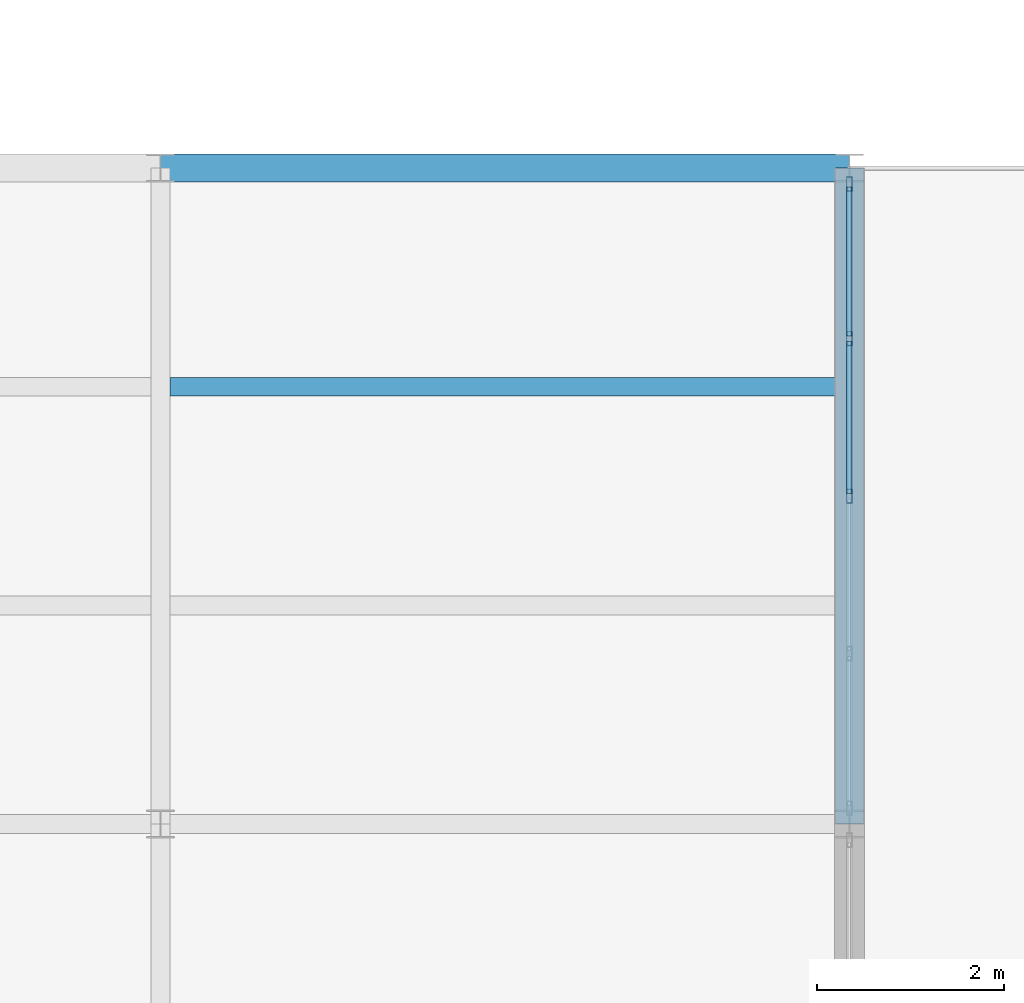
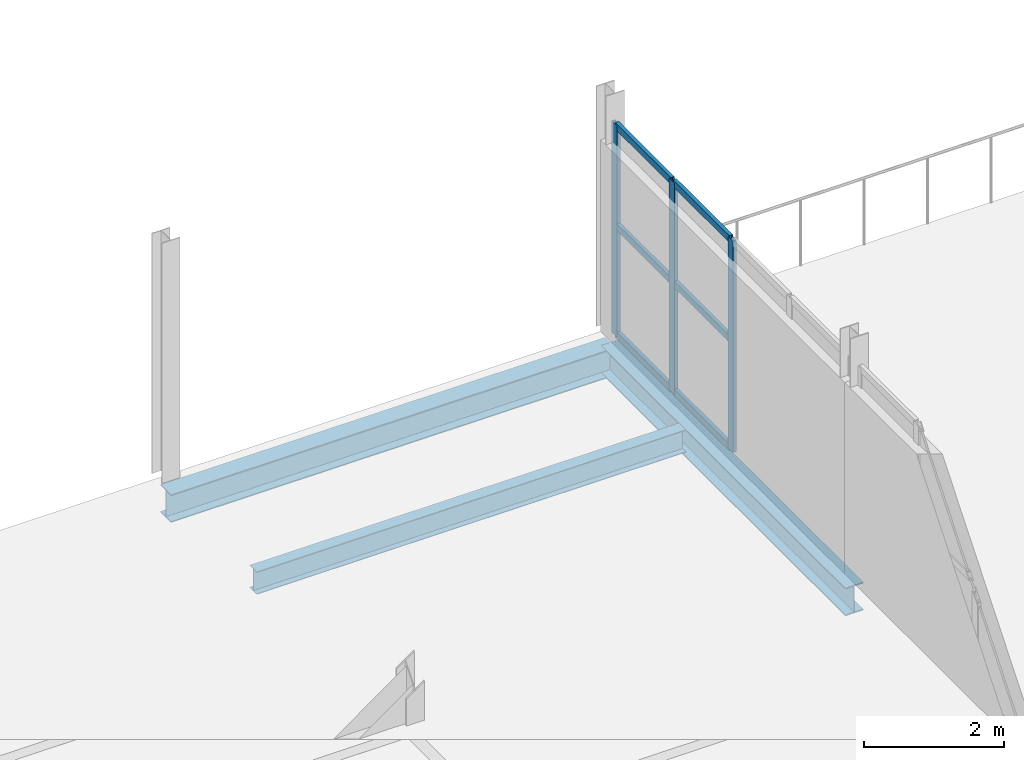
# One storey, part 24 of 39: 9 members, 3 beams, 1 element without a shape of its own.
"""IFC4 building model written with IfcOpenShell, lengths in metres."""

import ifcopenshell
import ifcopenshell.guid

model = None  # the IFC model being written
_history = None  # IfcOwnerHistory: only IFC2X3 demands one
_inside = {}  # id of a spatial element -> (the spatial element, [elements in it])
_under = {}  # id of a project, library or spatial element -> (it, [spatial elements below it])
_declared = {}  # id of a project -> (the project, [libraries it declares])
_typed = {}  # id of a type object -> (the type object, [elements of that type])
_made_of = {}  # id of a material, layer set ... -> (it, [elements and type objects made of it])


def new_model(schema):
    """Start an empty IFC model of exactly this schema.

    Asked for "IFC4X3", IfcOpenShell would pick the latest addendum, in which some entities
    have other attributes; the version numbers below select the first issue.
    IFC2X3 requires an IfcOwnerHistory on every rooted entity: one is made here for all.
    """
    global model, _history
    if schema == "IFC4X3":
        model = ifcopenshell.file(schema_version=(4, 3, 0, 0))
    else:
        model = ifcopenshell.file(schema=schema)
    _inside.clear()
    _under.clear()
    _declared.clear()
    _typed.clear()
    _made_of.clear()
    _history = None
    if model.schema == "IFC2X3":
        org = make("IfcOrganization", Name="unknown")
        user = make(
            "IfcPersonAndOrganization",
            ThePerson=make("IfcPerson", FamilyName="unknown"),
            TheOrganization=org,
        )
        app = make(
            "IfcApplication",
            ApplicationDeveloper=org,
            Version="unknown",
            ApplicationFullName="unknown",
            ApplicationIdentifier="unknown",
        )
        _history = make(
            "IfcOwnerHistory",
            OwningUser=user,
            OwningApplication=app,
            ChangeAction="ADDED",
            CreationDate=0,
        )
    return model


def make(cls, **values):
    """One entity of the class cls with the attributes given. An attribute that is None is left unset."""
    return model.create_entity(
        cls, **{name: value for name, value in values.items() if value is not None}
    )


def rooted(cls, **values):
    """An entity with a GlobalId (a new one), such as an element, a storey or a relation."""
    return make(cls, GlobalId=ifcopenshell.guid.new(), OwnerHistory=_history, **values)


def si_unit(unit_type, name, prefix=None):
    """IfcSIUnit, for example si_unit("LENGTHUNIT", "METRE", prefix="MILLI")."""
    return make("IfcSIUnit", UnitType=unit_type, Prefix=prefix, Name=name)


def assignment(units):
    """IfcUnitAssignment: the units of a project."""
    return None if units is None else make("IfcUnitAssignment", Units=units)


def point(xyz):
    """IfcCartesianPoint."""
    return None if xyz is None else make("IfcCartesianPoint", Coordinates=xyz)


def direction(xyz):
    """IfcDirection."""
    return None if xyz is None else make("IfcDirection", DirectionRatios=xyz)


def frame(location, z_axis=None, x_axis=None):
    """IfcAxis2Placement3D, a coordinate frame: its origin and axes. An axis left out is left unset."""
    return make(
        "IfcAxis2Placement3D",
        Location=point(location),
        Axis=direction(z_axis),
        RefDirection=direction(x_axis),
    )


def frame_2d(location, x_axis=None):
    """IfcAxis2Placement2D, a coordinate frame in the plane: its origin and x axis."""
    return make(
        "IfcAxis2Placement2D", Location=point(location), RefDirection=direction(x_axis)
    )


def origin():
    """The frame at (0, 0, 0) with its axes left unset."""
    return frame((0.0, 0.0, 0.0))


def origin_2d():
    """The frame at (0, 0) in the plane with its x axis left unset."""
    return frame_2d((0.0, 0.0))


def place(relative_to, where):
    """IfcLocalPlacement: puts the frame where relative to a parent placement (None: the world)."""
    return make(
        "IfcLocalPlacement", PlacementRelTo=relative_to, RelativePlacement=where
    )


def context(
    kind, dimensions, precision=None, world=None, true_north=None, identifier=None
):
    """IfcGeometricRepresentationContext, for example the 3D "Model" context."""
    return make(
        "IfcGeometricRepresentationContext",
        ContextIdentifier=identifier,
        ContextType=kind,
        CoordinateSpaceDimension=dimensions,
        Precision=precision,
        WorldCoordinateSystem=world,
        TrueNorth=true_north,
    )


def subcontext(parent, identifier, kind, view, scale=None):
    """IfcGeometricRepresentationSubContext, for example "Body" below "Model"."""
    return make(
        "IfcGeometricRepresentationSubContext",
        ContextIdentifier=identifier,
        ContextType=kind,
        ParentContext=parent,
        TargetScale=scale,
        TargetView=view,
    )


def project(units=None, contexts=None):
    """IfcProject with its units and contexts."""
    return rooted(
        "IfcProject",
        Name="project",
        RepresentationContexts=contexts,
        UnitsInContext=assignment(units),
    )


def spatial(cls, under=None, at=None, **own):
    """A site, building, storey or space (cls), placed at a placement, below another one or the project."""
    s = rooted(cls, ObjectPlacement=at, **own)
    if under is not None:
        _under.setdefault(under.id(), (under, []))[1].append(s)
    return s


def profile(cls, at=None, kind="AREA", **sizes):
    """A parametric profile (cls). Its sizes go by their IFC names, for example OverallWidth=200.0."""
    return make(cls, ProfileType=kind, Position=at, **sizes)


def hollow_rectangle(**sizes):
    """IfcRectangleHollowProfileDef."""
    return profile("IfcRectangleHollowProfileDef", **sizes)


def i_section(**sizes):
    """IfcIShapeProfileDef."""
    return profile("IfcIShapeProfileDef", **sizes)


def extrude(swept, where, along, depth):
    """IfcExtrudedAreaSolid: the profile swept, set in the frame where, extruded along a direction by depth."""
    return make(
        "IfcExtrudedAreaSolid",
        SweptArea=swept,
        Position=where,
        ExtrudedDirection=direction(along),
        Depth=depth,
    )


def shape(context_of_items, identifier, shape_type, items):
    """IfcShapeRepresentation: the items that make up one representation, for example the "Body"."""
    return make(
        "IfcShapeRepresentation",
        ContextOfItems=context_of_items,
        RepresentationIdentifier=identifier,
        RepresentationType=shape_type,
        Items=items,
    )


def material(Name=None, Category=None):
    """IfcMaterial."""
    return make("IfcMaterial", Name=Name, Category=Category)


def material_profile(
    of_material, cross_section, Name=None, Category=None, Priority=None
):
    """IfcMaterialProfile: a cross section and its material."""
    return make(
        "IfcMaterialProfile",
        Name=Name,
        Material=of_material,
        Profile=cross_section,
        Priority=Priority,
        Category=Category,
    )


def profile_set(profiles, Name=None, composite=None):
    """IfcMaterialProfileSet."""
    return make(
        "IfcMaterialProfileSet",
        Name=Name,
        MaterialProfiles=profiles,
        CompositeProfile=composite,
    )


def made_of(thing, what):
    """Note that an element or type object is made of a material, layer set ...; save() writes the relation."""
    if what is not None:
        _made_of.setdefault(what.id(), (what, []))[1].append(thing)
    return thing


def type_object(cls, material=None, **own):
    """A type object (cls), such as IfcWallType, which elements share."""
    return made_of(rooted(cls, **own), material)


def element(
    cls,
    number,
    at=None,
    inside=None,
    cuts=None,
    type_object=None,
    material=None,
    context=None,
    identifier="Body",
    shape_type=None,
    held_by="IfcProductDefinitionShape",
    body=None,
    shapes=None,
    **own,
):
    """One element of the class cls, such as IfcWall. Its Tag is "e" and its number.

    at: its placement. inside: the storey or other place that contains it. cuts: it is an
    opening in that element (IfcRelVoidsElement). A single representation is given by context,
    identifier, shape_type and body (its items); several are given by shapes. held_by: the class
    of the entity that holds the representations. save() writes the other relations.
    """
    e = rooted(cls, Tag="e%d" % number, ObjectPlacement=at, **own)
    if body is not None:
        shapes = [shape(context, identifier, shape_type, body)]
    if shapes is not None:
        e.Representation = make(held_by, Representations=shapes)
    if inside is not None:
        _inside.setdefault(inside.id(), (inside, []))[1].append(e)
    if cuts is not None:
        rooted(
            "IfcRelVoidsElement", RelatingBuildingElement=cuts, RelatedOpeningElement=e
        )
    if type_object is not None:
        _typed.setdefault(type_object.id(), (type_object, []))[1].append(e)
    return made_of(e, material)


def aggregate(whole, parts):
    """IfcRelAggregates: a whole, such as a stair, and the parts it consists of."""
    return rooted("IfcRelAggregates", RelatingObject=whole, RelatedObjects=parts)


def save(model, path):
    """Write the relations noted so far, then the file.

    IfcRelAggregates (storeys below a building ...), IfcRelContainedInSpatialStructure (elements
    in a storey), IfcRelDefinesByType, IfcRelAssociatesMaterial and IfcRelDeclares: one each for
    every whole, place, type object, material and project.
    """
    for whole, parts in _under.values():
        aggregate(whole, parts)
    for where, things in _inside.values():
        rooted(
            "IfcRelContainedInSpatialStructure",
            RelatedElements=things,
            RelatingStructure=where,
        )
    for kind, things in _typed.values():
        rooted("IfcRelDefinesByType", RelatedObjects=things, RelatingType=kind)
    for what, things in _made_of.values():
        rooted("IfcRelAssociatesMaterial", RelatedObjects=things, RelatingMaterial=what)
    for by, libraries in _declared.values():
        rooted("IfcRelDeclares", RelatingContext=by, RelatedDefinitions=libraries)
    model.write(path)


model = new_model("IFC4")

# Units and contexts
model_context = context("Model", 3, precision=1e-05, world=origin(), true_north=direction((0.0, 1.0)))
body_context = subcontext(model_context, "Body", "Model", "MODEL_VIEW")
ifc_project = project(units=[si_unit("LENGTHUNIT", "METRE"), si_unit("AREAUNIT", "SQUARE_METRE"), si_unit("VOLUMEUNIT", "CUBIC_METRE"), si_unit("PLANEANGLEUNIT", "RADIAN"), si_unit("MASSUNIT", "GRAM", prefix="KILO")], contexts=[model_context])

# Site, building, storey
site_placement = place(None, origin())
site = spatial("IfcSite", under=ifc_project, at=site_placement, CompositionType="ELEMENT")
building_placement = place(site_placement, origin())
building = spatial("IfcBuilding", under=site, at=building_placement, Name="Kazenagashi Tramway Depot", CompositionType="ELEMENT")
storey_placement = place(building_placement, frame((0.0, 0.0, 11.1)))
storey = spatial("IfcBuildingStorey", under=building, at=storey_placement, Name="L03", CompositionType="ELEMENT", Elevation=11.1)

# Beam
ifc_material_1 = material(Name="Steel SN490B", Category="steel")
ifc_material_profile_1 = material_profile(ifc_material_1, i_section(OverallWidth=0.199, OverallDepth=0.396, WebThickness=0.007, FlangeThickness=0.011, at=origin_2d()), Name="H-396x199x7x11")
ifc_profile_set_1 = profile_set([ifc_material_profile_1], Name="Steel SN490B")
beam_type_1 = type_object("IfcBeamType", Name="J-05", PredefinedType="JOIST", material=ifc_profile_set_1)
beam_1_placement = place(storey_placement, frame((29.499, 60.667, -0.448), z_axis=(1.0, 0.0, 0.0), x_axis=(0.0, 1.0, 0.0)))
element("IfcBeam", 1, at=beam_1_placement, inside=storey, type_object=beam_type_1, Name="Beam J-05 BM-0398", PredefinedType="JOIST", context=body_context, shape_type="SweptSolid", body=[
    extrude(i_section(OverallWidth=0.199, OverallDepth=0.396, WebThickness=0.007, FlangeThickness=0.011, at=origin_2d()), origin(), (0.0, 0.0, 1.0), 7.101),
])

# Curtain wall, members
ifc_material_2 = material(Name="Anodised Aluminium and Low-E Glazing", Category="aluminium")
curtain_wall_type = type_object("IfcCurtainWallType", Name="CW-26", PredefinedType="USERDEFINED", material=ifc_material_2)
curtain_wall_placement = place(storey_placement, origin())
curtain_wall = element("IfcCurtainWall", 2, at=curtain_wall_placement, inside=storey, type_object=curtain_wall_type, Name="Industrial Glazed Screen CW-26 CW-0150", ObjectType="GLAZED SCREEN", PredefinedType="USERDEFINED")
ifc_material_3 = material(Name="Anodised Aluminium", Category="aluminium")
ifc_material_profile_2 = material_profile(ifc_material_3, hollow_rectangle(XDim=0.06, YDim=0.15, WallThickness=0.004, at=origin_2d()), Name="RHS-150x60x4")
ifc_profile_set_2 = profile_set([ifc_material_profile_2], Name="Anodised Aluminium")
member_type_1 = type_object("IfcMemberType", Name="ML-01", PredefinedType="MULLION", material=ifc_profile_set_2)
member_1_placement = place(storey_placement, frame((36.75, 59.5, 0.0), z_axis=(0.0, 0.0, 1.0), x_axis=(-1.0, 0.0, 0.0)))
member_1 = element("IfcMember", 3, at=member_1_placement, type_object=member_type_1, Name="CW-26 mullion 3", PredefinedType="MULLION", context=body_context, shape_type="SweptSolid", body=[
    extrude(hollow_rectangle(XDim=0.06, YDim=0.15, WallThickness=0.004, at=origin_2d()), origin(), (0.0, 0.0, 1.0), 3.7),
])
member_2_placement = place(storey_placement, frame((36.75, 61.18, 0.0), z_axis=(0.0, 0.0, 1.0), x_axis=(-1.0, 0.0, 0.0)))
member_2 = element("IfcMember", 4, at=member_2_placement, type_object=member_type_1, Name="CW-26 mullion 4", PredefinedType="MULLION", context=body_context, shape_type="SweptSolid", body=[
    extrude(hollow_rectangle(XDim=0.06, YDim=0.15, WallThickness=0.004, at=origin_2d()), origin(), (0.0, 0.0, 1.0), 3.7),
])
member_3_placement = place(storey_placement, frame((36.75, 62.83, 0.0), z_axis=(0.0, 0.0, 1.0), x_axis=(-1.0, 0.0, 0.0)))
member_3 = element("IfcMember", 5, at=member_3_placement, type_object=member_type_1, Name="CW-26 mullion 5", PredefinedType="MULLION", context=body_context, shape_type="SweptSolid", body=[
    extrude(hollow_rectangle(XDim=0.06, YDim=0.15, WallThickness=0.004, at=origin_2d()), origin(), (0.0, 0.0, 1.0), 3.7),
])

# Beams
ifc_material_profile_3 = material_profile(ifc_material_1, i_section(OverallWidth=0.3, OverallDepth=0.488, WebThickness=0.011, FlangeThickness=0.018, at=origin_2d()), Name="H-488x300x11x18")
ifc_profile_set_3 = profile_set([ifc_material_profile_3], Name="Steel SN490B")
beam_type_2 = type_object("IfcBeamType", Name="SP-02", PredefinedType="SPANDREL", material=ifc_profile_set_3)
beam_2_placement = place(storey_placement, frame((29.4, 63.0, -0.494), z_axis=(1.0, 0.0, 0.0), x_axis=(0.0, 1.0, 0.0)))
element("IfcBeam", 6, at=beam_2_placement, inside=storey, type_object=beam_type_2, Name="Beam SP-02 BM-0267", PredefinedType="SPANDREL", context=body_context, shape_type="SweptSolid", body=[
    extrude(i_section(OverallWidth=0.3, OverallDepth=0.488, WebThickness=0.011, FlangeThickness=0.018, at=origin_2d()), origin(), (0.0, 0.0, 1.0), 7.35),
])
beam_3_placement = place(storey_placement, frame((36.75, 56.0, -0.494), z_axis=(0.0, 1.0, 0.0), x_axis=(-1.0, 0.0, 0.0)))
element("IfcBeam", 7, at=beam_3_placement, inside=storey, type_object=beam_type_2, Name="Beam SP-02 BM-0407", PredefinedType="SPANDREL", context=body_context, shape_type="SweptSolid", body=[
    extrude(i_section(OverallWidth=0.3, OverallDepth=0.488, WebThickness=0.011, FlangeThickness=0.018, at=origin_2d()), origin(), (0.0, 0.0, 1.0), 7.0),
])

# Member
ifc_material_profile_4 = material_profile(ifc_material_3, hollow_rectangle(XDim=0.06, YDim=0.12, WallThickness=0.004, at=origin_2d()), Name="RHS-120x60x4")
ifc_profile_set_4 = profile_set([ifc_material_profile_4], Name="Anodised Aluminium")
member_type_2 = type_object("IfcMemberType", Name="TR-01", PredefinedType="USERDEFINED", material=ifc_profile_set_4)
member_4_placement = place(storey_placement, frame((36.75, 59.53, 0.03), z_axis=(0.0, 1.0, 0.0), x_axis=(-1.0, 0.0, 0.0)))
member_4 = element("IfcMember", 8, at=member_4_placement, type_object=member_type_2, Name="CW-26 transom 3.1", ObjectType="TRANSOM", PredefinedType="USERDEFINED", context=body_context, shape_type="SweptSolid", body=[
    extrude(hollow_rectangle(XDim=0.06, YDim=0.12, WallThickness=0.004, at=origin_2d()), origin(), (0.0, 0.0, 1.0), 1.62),
])

member_5_placement = place(storey_placement, frame((36.75, 59.53, 1.924), z_axis=(0.0, 1.0, 0.0), x_axis=(-1.0, 0.0, 0.0)))
member_5 = element("IfcMember", 9, at=member_5_placement, type_object=member_type_2, Name="CW-26 transom 3.2", ObjectType="TRANSOM", PredefinedType="USERDEFINED", context=body_context, shape_type="SweptSolid", body=[
    extrude(hollow_rectangle(XDim=0.06, YDim=0.12, WallThickness=0.004, at=origin_2d()), origin(), (0.0, 0.0, 1.0), 1.62),
])

member_6_placement = place(storey_placement, frame((36.75, 59.53, 3.67), z_axis=(0.0, 1.0, 0.0), x_axis=(-1.0, 0.0, 0.0)))
member_6 = element("IfcMember", 10, at=member_6_placement, type_object=member_type_2, Name="CW-26 transom 3.3", ObjectType="TRANSOM", PredefinedType="USERDEFINED", context=body_context, shape_type="SweptSolid", body=[
    extrude(hollow_rectangle(XDim=0.06, YDim=0.12, WallThickness=0.004, at=origin_2d()), origin(), (0.0, 0.0, 1.0), 1.62),
])

member_7_placement = place(storey_placement, frame((36.75, 61.21, 0.03), z_axis=(0.0, 1.0, 0.0), x_axis=(-1.0, 0.0, 0.0)))
member_7 = element("IfcMember", 11, at=member_7_placement, type_object=member_type_2, Name="CW-26 transom 4.1", ObjectType="TRANSOM", PredefinedType="USERDEFINED", context=body_context, shape_type="SweptSolid", body=[
    extrude(hollow_rectangle(XDim=0.06, YDim=0.12, WallThickness=0.004, at=origin_2d()), origin(), (0.0, 0.0, 1.0), 1.59),
])

member_8_placement = place(storey_placement, frame((36.75, 61.21, 1.924), z_axis=(0.0, 1.0, 0.0), x_axis=(-1.0, 0.0, 0.0)))
member_8 = element("IfcMember", 12, at=member_8_placement, type_object=member_type_2, Name="CW-26 transom 4.2", ObjectType="TRANSOM", PredefinedType="USERDEFINED", context=body_context, shape_type="SweptSolid", body=[
    extrude(hollow_rectangle(XDim=0.06, YDim=0.12, WallThickness=0.004, at=origin_2d()), origin(), (0.0, 0.0, 1.0), 1.59),
])

member_9_placement = place(storey_placement, frame((36.75, 61.21, 3.67), z_axis=(0.0, 1.0, 0.0), x_axis=(-1.0, 0.0, 0.0)))
member_9 = element("IfcMember", 13, at=member_9_placement, type_object=member_type_2, Name="CW-26 transom 4.3", ObjectType="TRANSOM", PredefinedType="USERDEFINED", context=body_context, shape_type="SweptSolid", body=[
    extrude(hollow_rectangle(XDim=0.06, YDim=0.12, WallThickness=0.004, at=origin_2d()), origin(), (0.0, 0.0, 1.0), 1.59),
])

aggregate(curtain_wall, [member_1, member_2, member_3, member_4, member_5, member_6, member_7, member_8, member_9])

save(model, "model.ifc")
